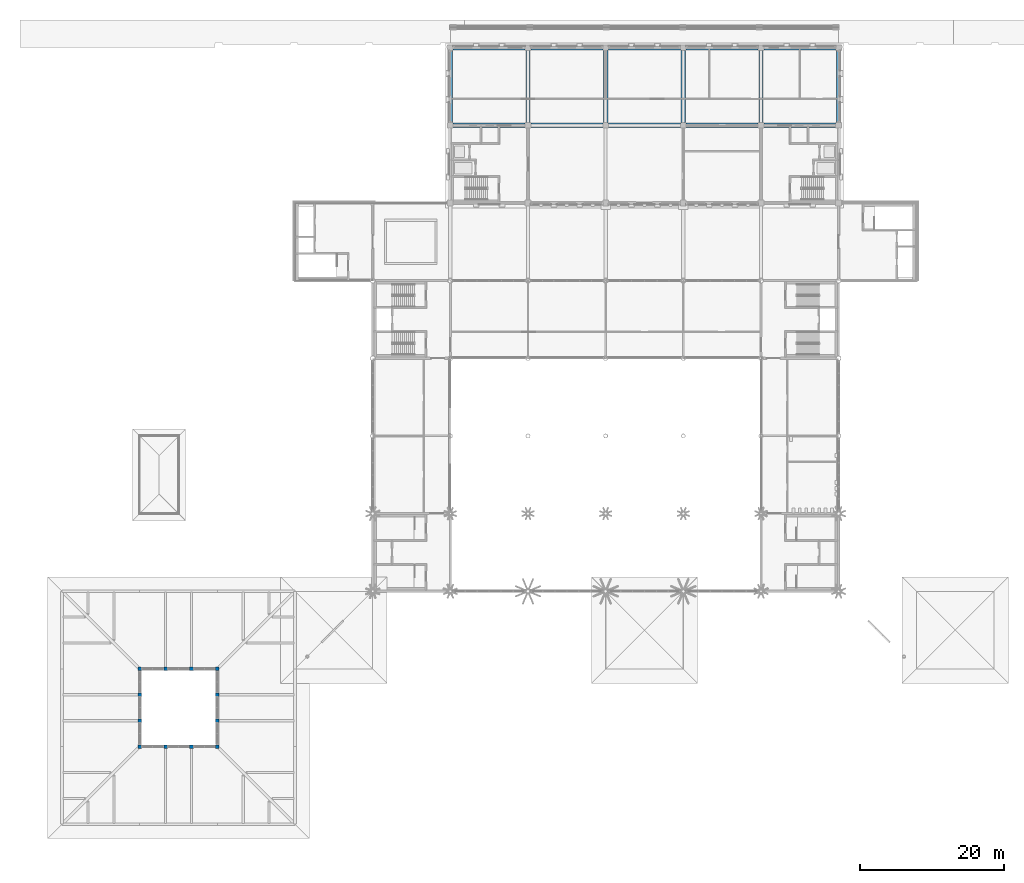
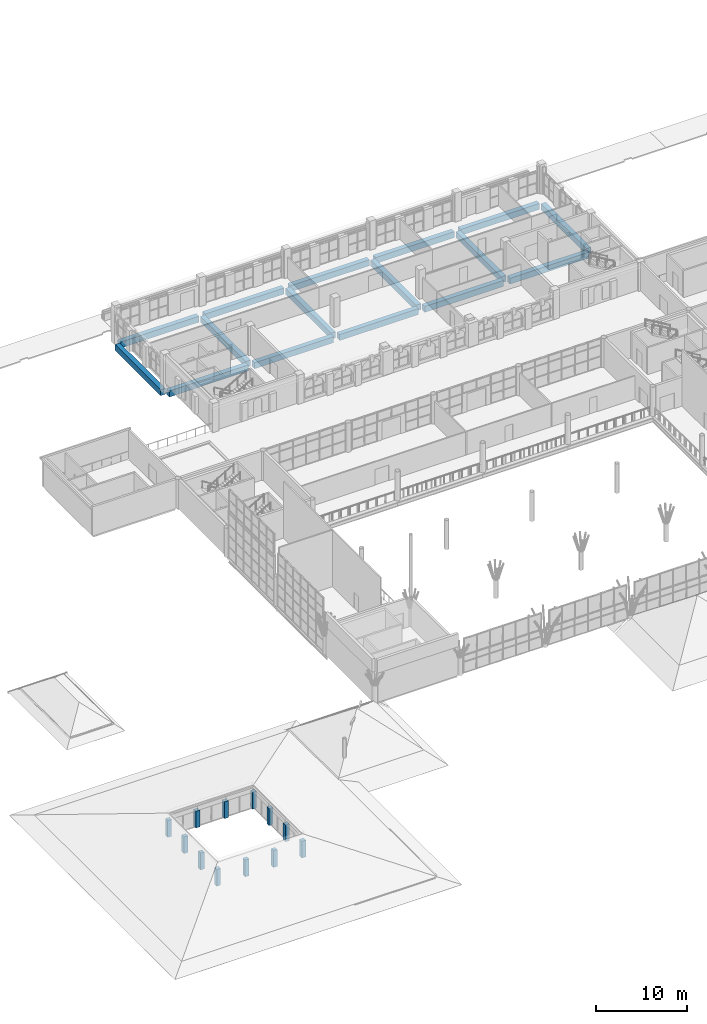
# One storey, part 1 of 95: 16 footings, 12 columns.
"""IFC4 building model written with IfcOpenShell, lengths in metres."""

from ifc_helpers import new_model, si_unit, direction, frame, origin, origin_2d, place, context, subcontext, project, spatial, rectangle, extrude, material, material_profile, profile_set, type_object, element, save


model = new_model("IFC4")

# Units and contexts
model_context = context("Model", 3, precision=1e-05, world=origin(), true_north=direction((0.0, 1.0)))
body_context = subcontext(model_context, "Body", "Model", "MODEL_VIEW")
ifc_project = project(units=[si_unit("LENGTHUNIT", "METRE"), si_unit("AREAUNIT", "SQUARE_METRE"), si_unit("VOLUMEUNIT", "CUBIC_METRE"), si_unit("PLANEANGLEUNIT", "RADIAN"), si_unit("MASSUNIT", "GRAM", prefix="KILO")], contexts=[model_context])

# Site, building, storey
site_placement = place(None, origin())
site = spatial("IfcSite", under=ifc_project, at=site_placement, CompositionType="ELEMENT")
building_placement = place(site_placement, origin())
building = spatial("IfcBuilding", under=site, at=building_placement, Name="Magnolia Steps Interchange", CompositionType="ELEMENT")
storey_placement = place(building_placement, frame((0.0, 0.0, 4.800048828125)))
storey = spatial("IfcBuildingStorey", under=building, at=storey_placement, Name="L01", CompositionType="ELEMENT", Elevation=4.800048828125)

# Footings
ifc_material_1 = material(Name="Concrete C40", Category="concrete")
ifc_material_profile_1 = material_profile(ifc_material_1, rectangle(XDim=0.60009765625, YDim=0.800048828125, at=origin_2d()), Name="RC600x800")
ifc_profile_set_1 = profile_set([ifc_material_profile_1], Name="Concrete C40")
footing_type = type_object("IfcFootingType", Name="Ground beam 600 x 800", PredefinedType="FOOTING_BEAM", material=ifc_profile_set_1)
for number, where, z_axis, x_axis, name in (
    (1, (64.39990234375, 107.199951171875, -1.699951171875), (1.0, 0.0, 0.0), (0.0, 1.0, 0.0), "Ground beam"),
    (2, (75.199951171875, 107.199951171875, -1.699951171875), (1.0, 0.0, 0.0), (0.0, 1.0, 0.0), "Ground beam"),
    (3, (86.0, 107.199951171875, -1.699951171875), (1.0, 0.0, 0.0), (0.0, 1.0, 0.0), "Ground beam"),
    (4, (96.800048828125, 107.199951171875, -1.699951171875), (1.0, 0.0, 0.0), (0.0, 1.0, 0.0), "Ground beam"),
    (5, (107.60009765625, 107.199951171875, -1.699951171875), (1.0, 0.0, 0.0), (0.0, 1.0, 0.0), "Ground beam"),
    (6, (64.39990234375, 118.0, -1.699951171875), (1.0, 0.0, 0.0), (0.0, 1.0, 0.0), "Ground beam"),
    (7, (75.199951171875, 118.0, -1.699951171875), (1.0, 0.0, 0.0), (0.0, 1.0, 0.0), "Ground beam"),
    (8, (86.0, 118.0, -1.699951171875), (1.0, 0.0, 0.0), (0.0, 1.0, 0.0), "Ground beam"),
    (9, (96.800048828125, 118.0, -1.699951171875), (1.0, 0.0, 0.0), (0.0, 1.0, 0.0), "Ground beam"),
    (10, (107.60009765625, 118.0, -1.699951171875), (1.0, 0.0, 0.0), (0.0, 1.0, 0.0), "Ground beam"),
    (11, (64.0, 107.60009765625, -1.699951171875), (0.0, 1.0, 0.0), (-1.0, 0.0, 0.0), "Ground beam"),
    (12, (74.800048828125, 107.60009765625, -1.699951171875), (0.0, 1.0, 0.0), (-1.0, 0.0, 0.0), "Ground beam"),
    (13, (85.60009765625, 107.60009765625, -1.699951171875), (0.0, 1.0, 0.0), (-1.0, 0.0, 0.0), "Ground beam"),
    (14, (96.39990234375, 107.60009765625, -1.699951171875), (0.0, 1.0, 0.0), (-1.0, 0.0, 0.0), "Ground beam"),
    (15, (107.199951171875, 107.60009765625, -1.699951171875), (0.0, 1.0, 0.0), (-1.0, 0.0, 0.0), "Ground beam"),
    (16, (118.0, 107.60009765625, -1.699951171875), (0.0, 1.0, 0.0), (-1.0, 0.0, 0.0), "Ground beam"),
):
    element("IfcFooting", number, at=place(storey_placement, frame(where, z_axis=z_axis, x_axis=x_axis)), inside=storey, type_object=footing_type, Name=name, PredefinedType="FOOTING_BEAM", context=body_context, shape_type="SweptSolid", body=[
        extrude(rectangle(XDim=0.60009765625, YDim=0.800048828125, at=origin_2d()), origin(), (0.0, 0.0, 1.0), 10.0),
    ])

# Columns
ifc_material_2 = material(Name="Concrete C40", Category="concrete")
ifc_material_profile_2 = material_profile(ifc_material_2, rectangle(XDim=0.5, YDim=0.5, at=origin_2d()), Name="RC500x500")
ifc_profile_set_2 = profile_set([ifc_material_profile_2], Name="Concrete C40")
column_type = type_object("IfcColumnType", Name="RC column 500x500", PredefinedType="COLUMN", material=ifc_profile_set_2)
for number, where, z_axis, x_axis, name in (
    (17, (24.39990234375, 20.800048828125, 0.0), (0.0, 0.0, 1.0), (1.0, 0.0, 0.0), "Column HUB-PIER-S1 L01"),
    (18, (24.39990234375, 31.60009765625, 0.0), (0.0, 0.0, 1.0), (1.0, 0.0, 0.0), "Column HUB-PIER-N1 L01"),
    (19, (20.800048828125, 24.39990234375, 0.0), (0.0, 0.0, 1.0), (1.0, 0.0, 0.0), "Column HUB-PIER-W1 L01"),
    (20, (31.60009765625, 24.39990234375, 0.0), (0.0, 0.0, 1.0), (1.0, 0.0, 0.0), "Column HUB-PIER-E1 L01"),
    (21, (28.0, 20.800048828125, 0.0), (0.0, 0.0, 1.0), (1.0, 0.0, 0.0), "Column HUB-PIER-S2 L01"),
    (22, (28.0, 31.60009765625, 0.0), (0.0, 0.0, 1.0), (1.0, 0.0, 0.0), "Column HUB-PIER-N2 L01"),
    (23, (20.800048828125, 28.0, 0.0), (0.0, 0.0, 1.0), (1.0, 0.0, 0.0), "Column HUB-PIER-W2 L01"),
    (24, (31.60009765625, 28.0, 0.0), (0.0, 0.0, 1.0), (1.0, 0.0, 0.0), "Column HUB-PIER-E2 L01"),
    (25, (20.800048828125, 20.800048828125, 0.0), (0.0, 0.0, 1.0), (1.0, 0.0, 0.0), "Column HUB-PIER-SW L01"),
    (26, (31.60009765625, 20.800048828125, 0.0), (0.0, 0.0, 1.0), (1.0, 0.0, 0.0), "Column HUB-PIER-SE L01"),
    (27, (20.800048828125, 31.60009765625, 0.0), (0.0, 0.0, 1.0), (1.0, 0.0, 0.0), "Column HUB-PIER-NW L01"),
    (28, (31.60009765625, 31.60009765625, 0.0), (0.0, 0.0, 1.0), (1.0, 0.0, 0.0), "Column HUB-PIER-NE L01"),
):
    element("IfcColumn", number, at=place(storey_placement, frame(where, z_axis=z_axis, x_axis=x_axis)), inside=storey, type_object=column_type, Name=name, PredefinedType="COLUMN", context=body_context, shape_type="SweptSolid", body=[
        extrude(rectangle(XDim=0.5, YDim=0.5, at=origin_2d()), origin(), (0.0, 0.0, 1.0), 2.25),
    ])

save(model, "model.ifc")
